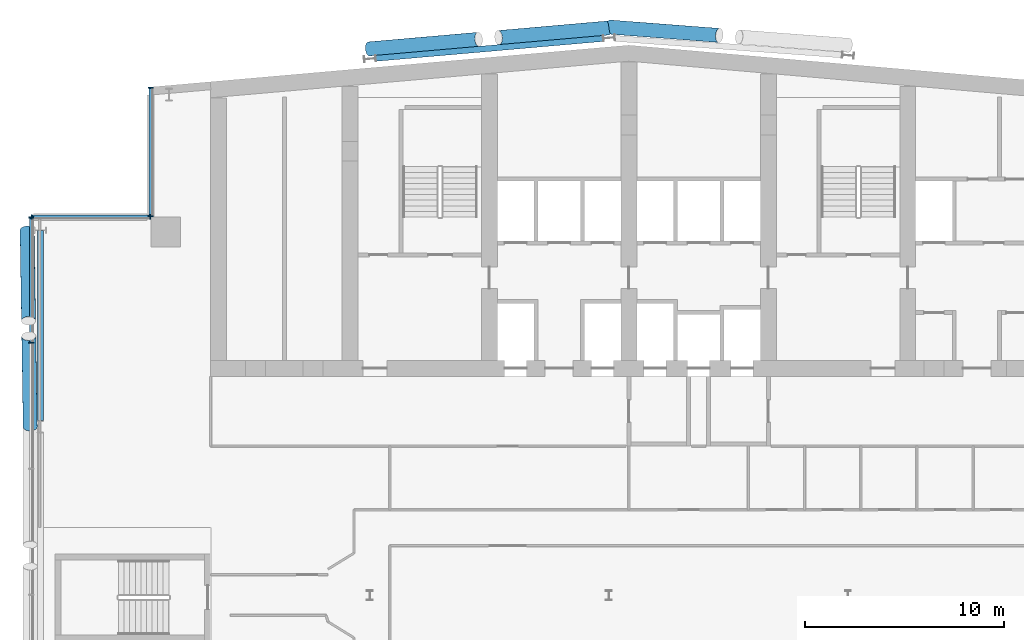
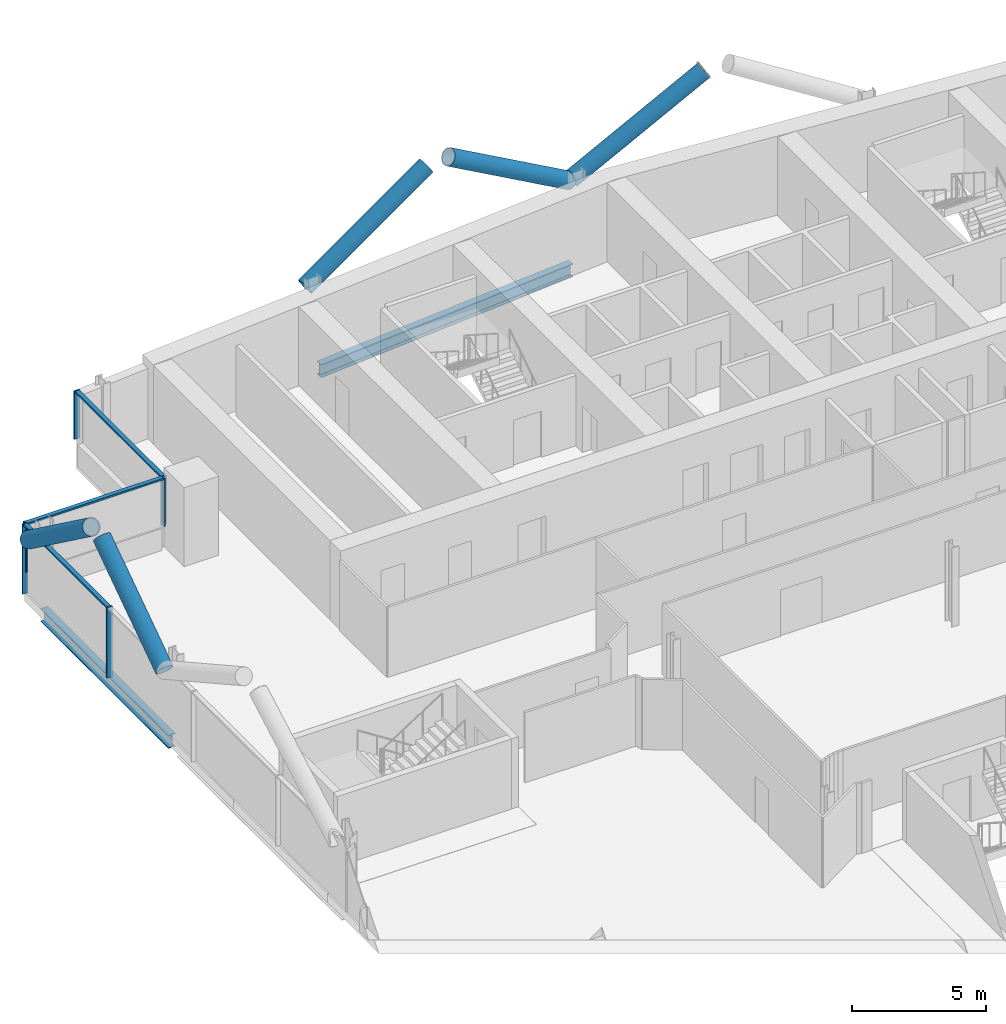
# One storey, part 9 of 29: 14 members, 2 beams, 3 elements without a shape of their own.
"""IFC4 building model written with IfcOpenShell, lengths in metres."""

from ifc_helpers import new_model, si_unit, direction, frame, origin, origin_2d, place, context, subcontext, project, spatial, rectangle, hollow_circle, i_section, extrude, material, material_profile, profile_set, type_object, element, aggregate, save


model = new_model("IFC4")

# Units and contexts
model_context = context("Model", 3, precision=1e-05, world=origin(), true_north=direction((0.0, 1.0)))
body_context = subcontext(model_context, "Body", "Model", "MODEL_VIEW")
ifc_project = project(units=[si_unit("LENGTHUNIT", "METRE"), si_unit("AREAUNIT", "SQUARE_METRE"), si_unit("VOLUMEUNIT", "CUBIC_METRE"), si_unit("PLANEANGLEUNIT", "RADIAN"), si_unit("MASSUNIT", "GRAM", prefix="KILO")], contexts=[model_context])

# Site, building, storey
site_placement = place(None, origin())
site = spatial("IfcSite", under=ifc_project, at=site_placement, CompositionType="ELEMENT")
building_placement = place(site_placement, origin())
building = spatial("IfcBuilding", under=site, at=building_placement, Name="Wharfspan Tower", CompositionType="ELEMENT")
storey_placement = place(building_placement, frame((0.0, 0.0, 162.699951)))
storey = spatial("IfcBuildingStorey", under=building, at=storey_placement, Name="L39", CompositionType="ELEMENT", Elevation=162.699951)

# Beams
ifc_material_1 = material(Name="Steel S355J2", Category="steel")
ifc_material_profile_1 = material_profile(ifc_material_1, i_section(OverallWidth=0.300049, OverallDepth=0.600098, WebThickness=0.015381, FlangeThickness=0.030029, FilletRadius=0.0271, at=origin_2d()))
ifc_profile_set_1 = profile_set([ifc_material_profile_1], Name="Steel S355J2")
beam_type = type_object("IfcBeamType", Name="Edge beam HEB 600", PredefinedType="SPANDREL", material=ifc_profile_set_1)
beam_1_placement = place(storey_placement, frame((35.705078, 50.961426, -0.699951), z_axis=(-0.996194, -0.087158, 0.0), x_axis=(0.087158, -0.996194, 0.0)))
element("IfcBeam", 1, at=beam_1_placement, inside=storey, type_object=beam_type, Name="Edge beam N1 L39 R.2 to R.1", PredefinedType="SPANDREL", context=body_context, shape_type="SweptSolid", body=[
    extrude(i_section(OverallWidth=0.300049, OverallDepth=0.600098, WebThickness=0.015381, FlangeThickness=0.030029, FilletRadius=0.0271, at=origin_2d()), origin(), (0.0, 0.0, 1.0), 11.453857),
])
beam_2_placement = place(storey_placement, frame((7.450439, 41.32666, -0.699951), z_axis=(-5.1e-05, -1.0, 0.0), x_axis=(1.0, -5.1e-05, 0.0)))
element("IfcBeam", 2, at=beam_2_placement, inside=storey, type_object=beam_type, Name="Edge beam W L39 PNRW-H.1 to PW.1", PredefinedType="SPANDREL", context=body_context, shape_type="SweptSolid", body=[
    extrude(i_section(OverallWidth=0.300049, OverallDepth=0.600098, WebThickness=0.015381, FlangeThickness=0.030029, FilletRadius=0.0271, at=origin_2d()), origin(), (0.0, 0.0, 1.0), 9.553955),
])

# Curtain wall, members
ifc_material_2 = material(Name="Aluminium 6063-T6", Category="aluminium")
curtain_wall_type = type_object("IfcCurtainWallType", Name="CURTAIN WALL PROW AND END", PredefinedType="NOTDEFINED", material=ifc_material_2)
curtain_wall_1_placement = place(storey_placement, origin())
curtain_wall_1 = element("IfcCurtainWall", 3, at=curtain_wall_1_placement, inside=storey, type_object=curtain_wall_type, Name="Curtain wall NRW-V", PredefinedType="NOTDEFINED")
ifc_material_profile_2 = material_profile(ifc_material_2, rectangle(XDim=0.23999, YDim=0.060059, at=origin_2d()))
ifc_profile_set_2 = profile_set([ifc_material_profile_2], Name="Aluminium 6063-T6")
member_type_1 = type_object("IfcMemberType", Name="MULLION PROW AND END 60x240", PredefinedType="MULLION", material=ifc_profile_set_2)
member_1_placement = place(storey_placement, frame((13.0, 48.494873, 1.0), z_axis=(0.0, 0.0, 1.0), x_axis=(1.0, 0.0, 0.0)))
member_1 = element("IfcMember", 4, at=member_1_placement, type_object=member_type_1, Name="Curtain wall NRW-V mullion 1", PredefinedType="MULLION", context=body_context, shape_type="SweptSolid", body=[
    extrude(rectangle(XDim=0.23999, YDim=0.060059, at=origin_2d()), origin(), (0.0, 0.0, 1.0), 2.199951),
])
member_2_placement = place(storey_placement, frame((13.0, 42.030029, 1.0), z_axis=(0.0, 0.0, 1.0), x_axis=(1.0, 0.0, 0.0)))
member_2 = element("IfcMember", 5, at=member_2_placement, type_object=member_type_1, Name="Curtain wall NRW-V mullion 2", PredefinedType="MULLION", context=body_context, shape_type="SweptSolid", body=[
    extrude(rectangle(XDim=0.23999, YDim=0.060059, at=origin_2d()), origin(), (0.0, 0.0, 1.0), 2.199951),
])

curtain_wall_2_placement = place(storey_placement, origin())
curtain_wall_2 = element("IfcCurtainWall", 6, at=curtain_wall_2_placement, inside=storey, type_object=curtain_wall_type, Name="Curtain wall NRW-H", PredefinedType="NOTDEFINED")
member_3_placement = place(storey_placement, frame((12.969971, 42.0, 1.0), z_axis=(0.0, 0.0, 1.0), x_axis=(0.0, -1.0, 0.0)))
member_3 = element("IfcMember", 7, at=member_3_placement, type_object=member_type_1, Name="Curtain wall NRW-H mullion 1", PredefinedType="MULLION", context=body_context, shape_type="SweptSolid", body=[
    extrude(rectangle(XDim=0.23999, YDim=0.060059, at=origin_2d()), origin(), (0.0, 0.0, 1.0), 2.199951),
])
member_4_placement = place(storey_placement, frame((7.030029, 42.0, 1.0), z_axis=(0.0, 0.0, 1.0), x_axis=(0.0, -1.0, 0.0)))
member_4 = element("IfcMember", 8, at=member_4_placement, type_object=member_type_1, Name="Curtain wall NRW-H mullion 2", PredefinedType="MULLION", context=body_context, shape_type="SweptSolid", body=[
    extrude(rectangle(XDim=0.23999, YDim=0.060059, at=origin_2d()), origin(), (0.0, 0.0, 1.0), 2.199951),
])

curtain_wall_3_placement = place(storey_placement, origin())
curtain_wall_3 = element("IfcCurtainWall", 9, at=curtain_wall_3_placement, inside=storey, type_object=curtain_wall_type, Name="Curtain wall W", PredefinedType="NOTDEFINED")
member_5_placement = place(storey_placement, frame((7.0, 41.969971, 0.0), z_axis=(0.0, 0.0, 1.0), x_axis=(1.0, 0.0, 0.0)))
member_5 = element("IfcMember", 10, at=member_5_placement, type_object=member_type_1, Name="Curtain wall W mullion 1", PredefinedType="MULLION", context=body_context, shape_type="SweptSolid", body=[
    extrude(rectangle(XDim=0.23999, YDim=0.060059, at=origin_2d()), origin(), (0.0, 0.0, 1.0), 3.199951),
])
member_6_placement = place(storey_placement, frame((7.0, 35.679932, 0.0), z_axis=(0.0, 0.0, 1.0), x_axis=(1.0, 0.0, 0.0)))
member_6 = element("IfcMember", 11, at=member_6_placement, type_object=member_type_1, Name="Curtain wall W mullion 2", PredefinedType="MULLION", context=body_context, shape_type="SweptSolid", body=[
    extrude(rectangle(XDim=0.23999, YDim=0.060059, at=origin_2d()), origin(), (0.0, 0.0, 1.0), 3.199951),
])

# Members
ifc_material_3 = material(Name="Steel S460NH", Category="steel")
ifc_material_profile_3 = material_profile(ifc_material_3, hollow_circle(Radius=0.355469, WallThickness=0.035889, at=origin_2d()))
ifc_profile_set_3 = profile_set([ifc_material_profile_3], Name="Steel S460NH")
member_type_2 = type_object("IfcMemberType", Name="Mega brace CHS 711x36", PredefinedType="BRACE", material=ifc_profile_set_3)
member_7_placement = place(storey_placement, frame((6.788086, 41.333008, 2.900146), z_axis=(0.012851, -0.807716, 0.589431), x_axis=(0.999873, 0.015909, 1e-06)))
element("IfcMember", 12, at=member_7_placement, inside=storey, type_object=member_type_2, Name="Mega brace W4 L40 part 1", PredefinedType="BRACE", context=body_context, shape_type="SweptSolid", body=[
    extrude(hollow_circle(Radius=0.355469, WallThickness=0.035889, at=origin_2d()), origin(), (0.0, 0.0, 1.0), 5.623535),
])
member_8_placement = place(storey_placement, frame((6.945068, 31.466553, 2.900146), z_axis=(-0.01285, 0.807732, 0.58941), x_axis=(-0.999874, -0.015906, -1e-06)))
element("IfcMember", 13, at=member_8_placement, inside=storey, type_object=member_type_2, Name="Mega brace W4 L40 part 3", PredefinedType="BRACE", context=body_context, shape_type="SweptSolid", body=[
    extrude(hollow_circle(Radius=0.355469, WallThickness=0.035889, at=origin_2d()), origin(), (0.0, 0.0, 1.0), 5.623779),
])
member_9_placement = place(storey_placement, frame((23.956299, 50.437988, 2.900146), z_axis=(0.8551, 0.074811, 0.513037), x_axis=(-0.087154, 0.996196, -2e-06)))
element("IfcMember", 14, at=member_9_placement, inside=storey, type_object=member_type_2, Name="Mega brace N7 L40 part 1", PredefinedType="BRACE", context=body_context, shape_type="SweptSolid", body=[
    extrude(hollow_circle(Radius=0.355469, WallThickness=0.035889, at=origin_2d()), origin(), (0.0, 0.0, 1.0), 6.425781),
])
member_10_placement = place(storey_placement, frame((35.956299, 51.487793, 2.900146), z_axis=(-0.85511, -0.074808, 0.513021), x_axis=(0.08715, -0.996195, -1e-06)))
element("IfcMember", 15, at=member_10_placement, inside=storey, type_object=member_type_2, Name="Mega brace N7 L40 part 3", PredefinedType="BRACE", context=body_context, shape_type="SweptSolid", body=[
    extrude(hollow_circle(Radius=0.355469, WallThickness=0.035889, at=origin_2d()), origin(), (0.0, 0.0, 1.0), 6.426025),
])
member_11_placement = place(storey_placement, frame((36.039795, 51.53418, 2.900146), z_axis=(0.855612, -0.065363, 0.513474), x_axis=(0.07617, 0.997093, 2e-06)))
element("IfcMember", 16, at=member_11_placement, inside=storey, type_object=member_type_2, Name="Mega brace N8 L40 part 1", PredefinedType="BRACE", context=body_context, shape_type="SweptSolid", body=[
    extrude(hollow_circle(Radius=0.355469, WallThickness=0.035889, at=origin_2d()), origin(), (0.0, 0.0, 1.0), 6.420654),
])

# Member
ifc_material_profile_4 = material_profile(ifc_material_2, rectangle(XDim=0.179932, YDim=0.080078, at=origin_2d()))
ifc_profile_set_4 = profile_set([ifc_material_profile_4], Name="Aluminium 6063-T6")
member_type_3 = type_object("IfcMemberType", Name="TRANSOM PROW AND END 80x180", PredefinedType="USERDEFINED", material=ifc_profile_set_4)
member_12_placement = place(storey_placement, frame((13.0, 48.464844, 3.160156), z_axis=(0.0, -1.0, 0.0), x_axis=(1.0, 0.0, 0.0)))
member_12 = element("IfcMember", 17, at=member_12_placement, type_object=member_type_3, Name="Curtain wall NRW-V transom 1", ObjectType="TRANSOM", PredefinedType="USERDEFINED", context=body_context, shape_type="SweptSolid", body=[
    extrude(rectangle(XDim=0.179932, YDim=0.080078, at=origin_2d()), origin(), (0.0, 0.0, 1.0), 6.404785),
])

aggregate(curtain_wall_1, [member_1, member_2, member_12])

member_13_placement = place(storey_placement, frame((12.939941, 42.0, 3.160156), z_axis=(-1.0, 0.0, 0.0), x_axis=(0.0, -1.0, 0.0)))
member_13 = element("IfcMember", 18, at=member_13_placement, type_object=member_type_3, Name="Curtain wall NRW-H transom 1", ObjectType="TRANSOM", PredefinedType="USERDEFINED", context=body_context, shape_type="SweptSolid", body=[
    extrude(rectangle(XDim=0.179932, YDim=0.080078, at=origin_2d()), origin(), (0.0, 0.0, 1.0), 5.879883),
])

aggregate(curtain_wall_2, [member_3, member_4, member_13])

member_14_placement = place(storey_placement, frame((7.0, 41.939941, 3.160156), z_axis=(0.0, -1.0, 0.0), x_axis=(1.0, 0.0, 0.0)))
member_14 = element("IfcMember", 19, at=member_14_placement, type_object=member_type_3, Name="Curtain wall W transom 1", ObjectType="TRANSOM", PredefinedType="USERDEFINED", context=body_context, shape_type="SweptSolid", body=[
    extrude(rectangle(XDim=0.179932, YDim=0.080078, at=origin_2d()), origin(), (0.0, 0.0, 1.0), 6.22998),
])

aggregate(curtain_wall_3, [member_5, member_6, member_14])

save(model, "model.ifc")
